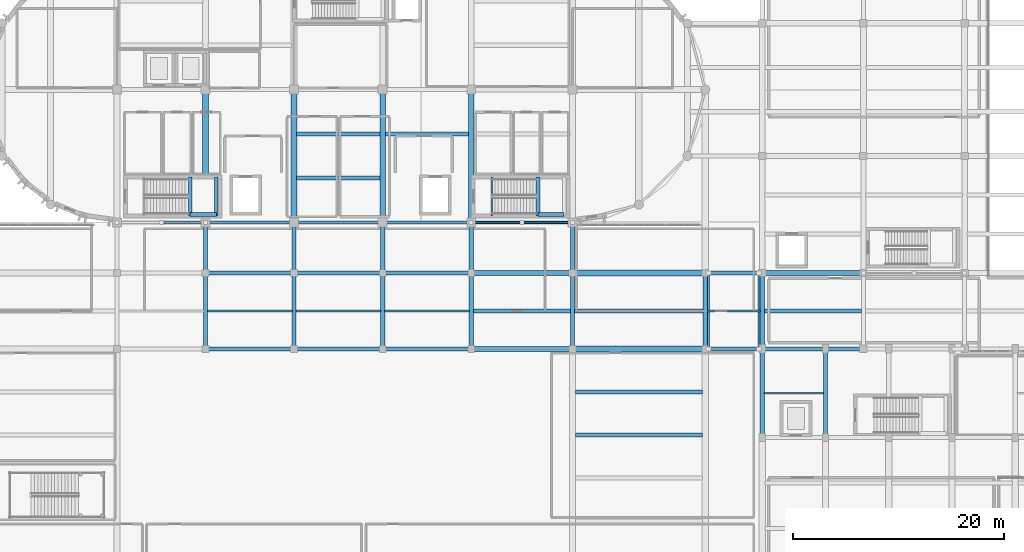
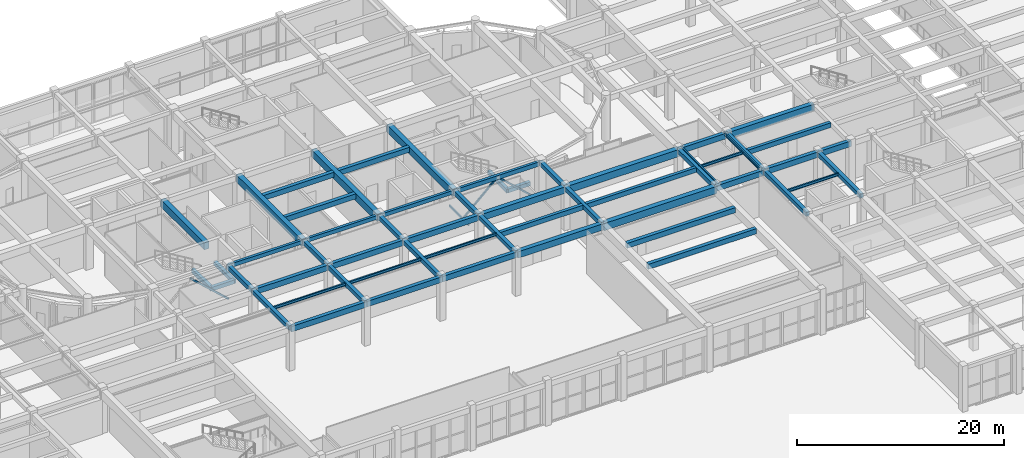
# One storey, part 37 of 98: 57 beams, 4 members.
"""IFC4 building model written with IfcOpenShell, lengths in metres."""

from ifc_helpers import new_model, si_unit, direction, frame, origin, origin_2d, place, context, subcontext, project, spatial, rectangle, hollow_rectangle, i_section, extrude, material, material_profile, profile_set, type_object, element, save


model = new_model("IFC4")

# Units and contexts
model_context = context("Model", 3, precision=1e-05, world=origin(), true_north=direction((0.0, 1.0)))
body_context = subcontext(model_context, "Body", "Model", "MODEL_VIEW")
ifc_project = project(units=[si_unit("LENGTHUNIT", "METRE"), si_unit("AREAUNIT", "SQUARE_METRE"), si_unit("VOLUMEUNIT", "CUBIC_METRE"), si_unit("PLANEANGLEUNIT", "RADIAN"), si_unit("MASSUNIT", "GRAM", prefix="KILO")], contexts=[model_context])

# Site, building, storey
site_placement = place(None, origin())
site = spatial("IfcSite", under=ifc_project, at=site_placement, CompositionType="ELEMENT")
building_placement = place(site_placement, origin())
building = spatial("IfcBuilding", under=site, at=building_placement, Name="Tarnavel Promenade Courthouse", CompositionType="ELEMENT")
storey_placement = place(building_placement, origin())
storey = spatial("IfcBuildingStorey", under=building, at=storey_placement, Name="L01", CompositionType="ELEMENT", Elevation=0.0)

# Beams
ifc_material_1 = material(Name="Concrete C40/50", Category="concrete")
ifc_material_profile_1 = material_profile(ifc_material_1, rectangle(XDim=0.35009765625, YDim=0.550048828125, at=origin_2d()), Name="PT 350x550")
ifc_profile_set_1 = profile_set([ifc_material_profile_1], Name="Concrete C40/50")
beam_type_1 = type_object("IfcBeamType", Name="Concrete C40/50 BM-PT-350x550 (PT 350x550)", PredefinedType="JOIST", material=ifc_profile_set_1)
beam_1_placement = place(storey_placement, frame((92.570068359375, 70.800048828125, 4.820068359375), z_axis=(1.0, 0.0, 0.0), x_axis=(0.0, 1.0, 0.0)))
element("IfcBeam", 1, at=beam_1_placement, inside=storey, type_object=beam_type_1, Name="L01 Secondary Floor Rib 0939", PredefinedType="JOIST", context=body_context, shape_type="SweptSolid", body=[
    extrude(rectangle(XDim=0.35009765625, YDim=0.550048828125, at=origin_2d()), origin(), (0.0, 0.0, 1.0), 9.260009765625),
])
beam_2_placement = place(storey_placement, frame((102.169921875, 70.800048828125, 4.820068359375), z_axis=(1.0, 0.0, 0.0), x_axis=(0.0, 1.0, 0.0)))
element("IfcBeam", 2, at=beam_2_placement, inside=storey, type_object=beam_type_1, Name="L01 Secondary Floor Rib 0940", PredefinedType="JOIST", context=body_context, shape_type="SweptSolid", body=[
    extrude(rectangle(XDim=0.35009765625, YDim=0.550048828125, at=origin_2d()), origin(), (0.0, 0.0, 1.0), 12.260009765625),
])
beam_3_placement = place(storey_placement, frame((120.169921875, 70.800048828125, 4.860107421875), z_axis=(1.0, 0.0, 0.0), x_axis=(0.0, 1.0, 0.0)))
element("IfcBeam", 3, at=beam_3_placement, inside=storey, type_object=beam_type_1, Name="L01 Secondary Floor Rib 0942", PredefinedType="JOIST", context=body_context, shape_type="SweptSolid", body=[
    extrude(rectangle(XDim=0.35009765625, YDim=0.550048828125, at=origin_2d()), origin(), (0.0, 0.0, 1.0), 9.260009765625),
])
ifc_material_profile_2 = material_profile(ifc_material_1, rectangle(XDim=0.39990234375, YDim=0.60009765625, at=origin_2d()), Name="PT 400x600")
ifc_profile_set_2 = profile_set([ifc_material_profile_2], Name="Concrete C40/50")
beam_type_2 = type_object("IfcBeamType", Name="Concrete C40/50 BM-PT-400x600 (PT 400x600)", PredefinedType="JOIST", material=ifc_profile_set_2)
for number, where, z_axis, x_axis, name in (
    (4, (102.27001953125, 59.0400390625, 4.794921875), (1.0, 0.0, 0.0), (0.0, 1.0, 0.0), "L01 Secondary Floor Rib 0998"),
    (5, (102.27001953125, 63.1201171875, 4.794921875), (1.0, 0.0, 0.0), (0.0, 1.0, 0.0), "L01 Secondary Floor Rib 0999"),
):
    element("IfcBeam", number, at=place(storey_placement, frame(where, z_axis=z_axis, x_axis=x_axis)), inside=storey, type_object=beam_type_2, Name=name, PredefinedType="JOIST", context=body_context, shape_type="SweptSolid", body=[
        extrude(rectangle(XDim=0.39990234375, YDim=0.60009765625, at=origin_2d()), origin(), (0.0, 0.0, 1.0), 12.06005859375),
    ])
for number, where, z_axis, x_axis, name in (
    (6, (75.844970703125, 83.39990234375, 4.8349609375), (1.0, 0.0, 0.0), (0.0, 1.0, 0.0), "L01 Secondary Floor Rib 1000"),
    (7, (75.844970703125, 87.60009765625, 4.8349609375), (1.0, 0.0, 0.0), (0.0, 1.0, 0.0), "L01 Secondary Floor Rib 1001"),
    (8, (84.2451171875, 87.60009765625, 4.8349609375), (1.0, 0.0, 0.0), (0.0, 1.0, 0.0), "L01 Secondary Floor Rib 1002"),
):
    element("IfcBeam", number, at=place(storey_placement, frame(where, z_axis=z_axis, x_axis=x_axis)), inside=storey, type_object=beam_type_2, Name=name, PredefinedType="JOIST", context=body_context, shape_type="SweptSolid", body=[
        extrude(rectangle(XDim=0.39990234375, YDim=0.60009765625, at=origin_2d()), origin(), (0.0, 0.0, 1.0), 7.909912109375),
    ])
ifc_material_profile_3 = material_profile(ifc_material_1, rectangle(XDim=0.550048828125, YDim=0.85009765625, at=origin_2d()), Name="PT 550x850")
ifc_profile_set_3 = profile_set([ifc_material_profile_3], Name="Concrete C40/50")
beam_type_3 = type_object("IfcBeamType", Name="Concrete C40/50 BM-PT-550x850 (PT 550x850)", PredefinedType="T_BEAM", material=ifc_profile_set_3)
for number, where, z_axis, x_axis, name in (
    (9, (102.0, 67.199951171875, 4.669921875), (1.0, 0.0, 0.0), (0.0, 1.0, 0.0), "L01 Primary Longitudinal Beam 0648"),
    (10, (102.0, 74.39990234375, 4.669921875), (1.0, 0.0, 0.0), (0.0, 1.0, 0.0), "L01 Primary Longitudinal Beam 0671"),
):
    element("IfcBeam", number, at=place(storey_placement, frame(where, z_axis=z_axis, x_axis=x_axis)), inside=storey, type_object=beam_type_3, Name=name, PredefinedType="T_BEAM", context=body_context, shape_type="SweptSolid", body=[
        extrude(rectangle(XDim=0.550048828125, YDim=0.85009765625, at=origin_2d()), origin(), (0.0, 0.0, 1.0), 12.60009765625),
    ])
beam_4_placement = place(storey_placement, frame((67.199951171875, 83.3701171875, 4.7099609375), z_axis=(0.0, 1.0, 0.0), x_axis=(-1.0, 0.0, 0.0)))
element("IfcBeam", 11, at=beam_4_placement, inside=storey, type_object=beam_type_3, Name="L01 Transverse Girder 0798", PredefinedType="T_BEAM", context=body_context, shape_type="SweptSolid", body=[
    extrude(rectangle(XDim=0.550048828125, YDim=0.85009765625, at=origin_2d()), origin(), (0.0, 0.0, 1.0), 8.429931640625),
])
for number, where, z_axis, x_axis, name in (
    (12, (75.60009765625, 79.199951171875, 4.7099609375), (0.0, 1.0, 0.0), (-1.0, 0.0, 0.0), "L01 Transverse Girder 0804"),
    (13, (84.0, 79.199951171875, 4.7099609375), (0.0, 1.0, 0.0), (-1.0, 0.0, 0.0), "L01 Transverse Girder 0810"),
    (14, (92.39990234375, 79.199951171875, 4.7099609375), (0.0, 1.0, 0.0), (-1.0, 0.0, 0.0), "L01 Transverse Girder 0817"),
):
    element("IfcBeam", number, at=place(storey_placement, frame(where, z_axis=z_axis, x_axis=x_axis)), inside=storey, type_object=beam_type_3, Name=name, PredefinedType="T_BEAM", context=body_context, shape_type="SweptSolid", body=[
        extrude(rectangle(XDim=0.550048828125, YDim=0.85009765625, at=origin_2d()), origin(), (0.0, 0.0, 1.0), 12.60009765625),
    ])
ifc_material_profile_4 = material_profile(ifc_material_1, rectangle(XDim=0.35009765625, YDim=0.449951171875, at=origin_2d()), Name="RC 350x450")
ifc_profile_set_4 = profile_set([ifc_material_profile_4], Name="Concrete C40/50")
beam_type_4 = type_object("IfcBeamType", Name="Concrete C40/50 BM-RC-350x450 (RC 350x450)", PredefinedType="BEAM", material=ifc_profile_set_4)
for number, where, z_axis, x_axis, name in (
    (15, (65.739990234375, 79.800048828125, 2.27001953125), (0.0, 1.0, 0.0), (-1.0, 0.0, 0.0), "L01 ST-01 Mid-Landing Support Beam Near"),
    (16, (68.219970703125, 79.800048828125, 2.27001953125), (0.0, 1.0, 0.0), (-1.0, 0.0, 0.0), "L01 ST-01 Mid-Landing Support Beam Far"),
):
    element("IfcBeam", number, at=place(storey_placement, frame(where, z_axis=z_axis, x_axis=x_axis)), inside=storey, type_object=beam_type_4, Name=name, PredefinedType="BEAM", context=body_context, shape_type="SweptSolid", body=[
        extrude(rectangle(XDim=0.35009765625, YDim=0.449951171875, at=origin_2d()), origin(), (0.0, 0.0, 1.0), 3.719970703125),
    ])
beam_5_placement = place(storey_placement, frame((65.739990234375, 79.949951171875, 2.27001953125), z_axis=(1.0, 0.0, 0.0), x_axis=(0.0, 1.0, 0.0)))
element("IfcBeam", 17, at=beam_5_placement, inside=storey, type_object=beam_type_4, Name="L01 ST-01 Mid-Landing Edge Trimmer", PredefinedType="BEAM", context=body_context, shape_type="SweptSolid", body=[
    extrude(rectangle(XDim=0.35009765625, YDim=0.449951171875, at=origin_2d()), origin(), (0.0, 0.0, 1.0), 2.47998046875),
])
beam_6_placement = place(storey_placement, frame((98.739990234375, 79.800048828125, 2.27001953125), z_axis=(0.0, 1.0, 0.0), x_axis=(-1.0, 0.0, 0.0)))
element("IfcBeam", 18, at=beam_6_placement, inside=storey, type_object=beam_type_4, Name="L01 ST-02 Mid-Landing Support Beam Near", PredefinedType="BEAM", context=body_context, shape_type="SweptSolid", body=[
    extrude(rectangle(XDim=0.35009765625, YDim=0.449951171875, at=origin_2d()), origin(), (0.0, 0.0, 1.0), 3.719970703125),
])
beam_7_placement = place(storey_placement, frame((98.739990234375, 79.949951171875, 2.27001953125), z_axis=(1.0, 0.0, 0.0), x_axis=(0.0, 1.0, 0.0)))
element("IfcBeam", 19, at=beam_7_placement, inside=storey, type_object=beam_type_4, Name="L01 ST-02 Mid-Landing Edge Trimmer", PredefinedType="BEAM", context=body_context, shape_type="SweptSolid", body=[
    extrude(rectangle(XDim=0.35009765625, YDim=0.449951171875, at=origin_2d()), origin(), (0.0, 0.0, 1.0), 2.47998046875),
])
ifc_material_profile_5 = material_profile(ifc_material_1, rectangle(XDim=0.39990234375, YDim=0.5, at=origin_2d()), Name="RC 400x500")
ifc_profile_set_5 = profile_set([ifc_material_profile_5], Name="Concrete C40/50")
beam_type_5 = type_object("IfcBeamType", Name="Concrete C40/50 BM-RC-400x500 (RC 400x500)", PredefinedType="BEAM", material=ifc_profile_set_5)
beam_8_placement = place(storey_placement, frame((67.199951171875, 67.199951171875, 4.844970703125), z_axis=(0.0, 1.0, 0.0), x_axis=(-1.0, 0.0, 0.0)))
element("IfcBeam", 20, at=beam_8_placement, inside=storey, type_object=beam_type_5, Name="L01 Transverse Girder 0796", PredefinedType="BEAM", context=body_context, shape_type="SweptSolid", body=[
    extrude(rectangle(XDim=0.39990234375, YDim=0.5, at=origin_2d()), origin(), (0.0, 0.0, 1.0), 7.199951171875),
])
beam_9_placement = place(storey_placement, frame((67.199951171875, 74.39990234375, 4.844970703125), z_axis=(0.0, 1.0, 0.0), x_axis=(-1.0, 0.0, 0.0)))
element("IfcBeam", 21, at=beam_9_placement, inside=storey, type_object=beam_type_5, Name="L01 Transverse Girder 0797", PredefinedType="BEAM", context=body_context, shape_type="SweptSolid", body=[
    extrude(rectangle(XDim=0.39990234375, YDim=0.5, at=origin_2d()), origin(), (0.0, 0.0, 1.0), 4.800048828125),
])
beam_10_placement = place(storey_placement, frame((75.60009765625, 67.199951171875, 4.844970703125), z_axis=(0.0, 1.0, 0.0), x_axis=(-1.0, 0.0, 0.0)))
element("IfcBeam", 22, at=beam_10_placement, inside=storey, type_object=beam_type_5, Name="L01 Transverse Girder 0802", PredefinedType="BEAM", context=body_context, shape_type="SweptSolid", body=[
    extrude(rectangle(XDim=0.39990234375, YDim=0.5, at=origin_2d()), origin(), (0.0, 0.0, 1.0), 7.199951171875),
])
beam_11_placement = place(storey_placement, frame((75.60009765625, 74.39990234375, 4.844970703125), z_axis=(0.0, 1.0, 0.0), x_axis=(-1.0, 0.0, 0.0)))
element("IfcBeam", 23, at=beam_11_placement, inside=storey, type_object=beam_type_5, Name="L01 Transverse Girder 0803", PredefinedType="BEAM", context=body_context, shape_type="SweptSolid", body=[
    extrude(rectangle(XDim=0.39990234375, YDim=0.5, at=origin_2d()), origin(), (0.0, 0.0, 1.0), 4.800048828125),
])
beam_12_placement = place(storey_placement, frame((84.0, 67.199951171875, 4.844970703125), z_axis=(0.0, 1.0, 0.0), x_axis=(-1.0, 0.0, 0.0)))
element("IfcBeam", 24, at=beam_12_placement, inside=storey, type_object=beam_type_5, Name="L01 Transverse Girder 0808", PredefinedType="BEAM", context=body_context, shape_type="SweptSolid", body=[
    extrude(rectangle(XDim=0.39990234375, YDim=0.5, at=origin_2d()), origin(), (0.0, 0.0, 1.0), 7.199951171875),
])
beam_13_placement = place(storey_placement, frame((84.0, 74.39990234375, 4.844970703125), z_axis=(0.0, 1.0, 0.0), x_axis=(-1.0, 0.0, 0.0)))
element("IfcBeam", 25, at=beam_13_placement, inside=storey, type_object=beam_type_5, Name="L01 Transverse Girder 0809", PredefinedType="BEAM", context=body_context, shape_type="SweptSolid", body=[
    extrude(rectangle(XDim=0.39990234375, YDim=0.5, at=origin_2d()), origin(), (0.0, 0.0, 1.0), 4.800048828125),
])
beam_14_placement = place(storey_placement, frame((92.39990234375, 67.199951171875, 4.844970703125), z_axis=(0.0, 1.0, 0.0), x_axis=(-1.0, 0.0, 0.0)))
element("IfcBeam", 26, at=beam_14_placement, inside=storey, type_object=beam_type_5, Name="L01 Transverse Girder 0815", PredefinedType="BEAM", context=body_context, shape_type="SweptSolid", body=[
    extrude(rectangle(XDim=0.39990234375, YDim=0.5, at=origin_2d()), origin(), (0.0, 0.0, 1.0), 7.199951171875),
])
beam_15_placement = place(storey_placement, frame((92.39990234375, 74.39990234375, 4.844970703125), z_axis=(0.0, 1.0, 0.0), x_axis=(-1.0, 0.0, 0.0)))
element("IfcBeam", 27, at=beam_15_placement, inside=storey, type_object=beam_type_5, Name="L01 Transverse Girder 0816", PredefinedType="BEAM", context=body_context, shape_type="SweptSolid", body=[
    extrude(rectangle(XDim=0.39990234375, YDim=0.5, at=origin_2d()), origin(), (0.0, 0.0, 1.0), 4.800048828125),
])
beam_16_placement = place(storey_placement, frame((102.0, 67.199951171875, 4.844970703125), z_axis=(0.0, 1.0, 0.0), x_axis=(-1.0, 0.0, 0.0)))
element("IfcBeam", 28, at=beam_16_placement, inside=storey, type_object=beam_type_5, Name="L01 Transverse Girder 0822", PredefinedType="BEAM", context=body_context, shape_type="SweptSolid", body=[
    extrude(rectangle(XDim=0.39990234375, YDim=0.5, at=origin_2d()), origin(), (0.0, 0.0, 1.0), 7.199951171875),
])
beam_17_placement = place(storey_placement, frame((102.0, 74.39990234375, 4.844970703125), z_axis=(0.0, 1.0, 0.0), x_axis=(-1.0, 0.0, 0.0)))
element("IfcBeam", 29, at=beam_17_placement, inside=storey, type_object=beam_type_5, Name="L01 Transverse Girder 0823", PredefinedType="BEAM", context=body_context, shape_type="SweptSolid", body=[
    extrude(rectangle(XDim=0.39990234375, YDim=0.5, at=origin_2d()), origin(), (0.0, 0.0, 1.0), 4.800048828125),
])
beam_18_placement = place(storey_placement, frame((114.60009765625, 67.199951171875, 4.844970703125), z_axis=(0.0, 1.0, 0.0), x_axis=(-1.0, 0.0, 0.0)))
element("IfcBeam", 30, at=beam_18_placement, inside=storey, type_object=beam_type_5, Name="L01 Transverse Girder 0831", PredefinedType="BEAM", context=body_context, shape_type="SweptSolid", body=[
    extrude(rectangle(XDim=0.39990234375, YDim=0.5, at=origin_2d()), origin(), (0.0, 0.0, 1.0), 7.199951171875),
])
beam_19_placement = place(storey_placement, frame((120.0, 58.800048828125, 4.844970703125), z_axis=(0.0, 1.0, 0.0), x_axis=(-1.0, 0.0, 0.0)))
element("IfcBeam", 31, at=beam_19_placement, inside=storey, type_object=beam_type_5, Name="L01 Transverse Girder 0835", PredefinedType="BEAM", context=body_context, shape_type="SweptSolid", body=[
    extrude(rectangle(XDim=0.39990234375, YDim=0.5, at=origin_2d()), origin(), (0.0, 0.0, 1.0), 8.39990234375),
])
beam_20_placement = place(storey_placement, frame((120.0, 67.199951171875, 4.844970703125), z_axis=(0.0, 1.0, 0.0), x_axis=(-1.0, 0.0, 0.0)))
element("IfcBeam", 32, at=beam_20_placement, inside=storey, type_object=beam_type_5, Name="L01 Transverse Girder 0836", PredefinedType="BEAM", context=body_context, shape_type="SweptSolid", body=[
    extrude(rectangle(XDim=0.39990234375, YDim=0.5, at=origin_2d()), origin(), (0.0, 0.0, 1.0), 7.199951171875),
])
beam_21_placement = place(storey_placement, frame((126.0, 58.800048828125, 4.885009765625), z_axis=(0.0, 1.0, 0.0), x_axis=(-1.0, 0.0, 0.0)))
element("IfcBeam", 33, at=beam_21_placement, inside=storey, type_object=beam_type_5, Name="L01 Transverse Girder 0843", PredefinedType="BEAM", context=body_context, shape_type="SweptSolid", body=[
    extrude(rectangle(XDim=0.39990234375, YDim=0.5, at=origin_2d()), origin(), (0.0, 0.0, 1.0), 8.39990234375),
])
ifc_material_profile_6 = material_profile(ifc_material_1, rectangle(XDim=0.39990234375, YDim=0.64990234375, at=origin_2d()), Name="RC 400x650")
ifc_profile_set_6 = profile_set([ifc_material_profile_6], Name="Concrete C40/50")
beam_type_6 = type_object("IfcBeamType", Name="Concrete C40/50 BM-RC-400x650 (RC 400x650)", PredefinedType="BEAM", material=ifc_profile_set_6)
beam_22_placement = place(storey_placement, frame((67.199951171875, 67.199951171875, 4.77001953125), z_axis=(1.0, 0.0, 0.0), x_axis=(0.0, 1.0, 0.0)))
element("IfcBeam", 34, at=beam_22_placement, inside=storey, type_object=beam_type_6, Name="L01 Primary Longitudinal Beam 0644", PredefinedType="BEAM", context=body_context, shape_type="SweptSolid", body=[
    extrude(rectangle(XDim=0.39990234375, YDim=0.64990234375, at=origin_2d()), origin(), (0.0, 0.0, 1.0), 8.400146484375),
])
for number, where, z_axis, x_axis, name in (
    (35, (75.60009765625, 67.199951171875, 4.77001953125), (1.0, 0.0, 0.0), (0.0, 1.0, 0.0), "L01 Primary Longitudinal Beam 0645"),
    (36, (84.0, 67.199951171875, 4.77001953125), (1.0, 0.0, 0.0), (0.0, 1.0, 0.0), "L01 Primary Longitudinal Beam 0646"),
):
    element("IfcBeam", number, at=place(storey_placement, frame(where, z_axis=z_axis, x_axis=x_axis)), inside=storey, type_object=beam_type_6, Name=name, PredefinedType="BEAM", context=body_context, shape_type="SweptSolid", body=[
        extrude(rectangle(XDim=0.39990234375, YDim=0.64990234375, at=origin_2d()), origin(), (0.0, 0.0, 1.0), 8.39990234375),
    ])
beam_23_placement = place(storey_placement, frame((114.60009765625, 67.199951171875, 4.77001953125), z_axis=(1.0, 0.0, 0.0), x_axis=(0.0, 1.0, 0.0)))
element("IfcBeam", 37, at=beam_23_placement, inside=storey, type_object=beam_type_6, Name="L01 Primary Longitudinal Beam 0649", PredefinedType="BEAM", context=body_context, shape_type="SweptSolid", body=[
    extrude(rectangle(XDim=0.39990234375, YDim=0.64990234375, at=origin_2d()), origin(), (0.0, 0.0, 1.0), 5.39990234375),
])
beam_24_placement = place(storey_placement, frame((120.0, 67.199951171875, 4.81005859375), z_axis=(1.0, 0.0, 0.0), x_axis=(0.0, 1.0, 0.0)))
element("IfcBeam", 38, at=beam_24_placement, inside=storey, type_object=beam_type_6, Name="L01 Primary Longitudinal Beam 0650", PredefinedType="BEAM", context=body_context, shape_type="SweptSolid", body=[
    extrude(rectangle(XDim=0.39990234375, YDim=0.64990234375, at=origin_2d()), origin(), (0.0, 0.0, 1.0), 6.0),
])
beam_25_placement = place(storey_placement, frame((126.0, 67.199951171875, 4.81005859375), z_axis=(1.0, 0.0, 0.0), x_axis=(0.0, 1.0, 0.0)))
element("IfcBeam", 39, at=beam_25_placement, inside=storey, type_object=beam_type_6, Name="L01 Primary Longitudinal Beam 0651", PredefinedType="BEAM", context=body_context, shape_type="SweptSolid", body=[
    extrude(rectangle(XDim=0.39990234375, YDim=0.64990234375, at=origin_2d()), origin(), (0.0, 0.0, 1.0), 3.60009765625),
])
beam_26_placement = place(storey_placement, frame((67.199951171875, 74.39990234375, 4.77001953125), z_axis=(1.0, 0.0, 0.0), x_axis=(0.0, 1.0, 0.0)))
element("IfcBeam", 40, at=beam_26_placement, inside=storey, type_object=beam_type_6, Name="L01 Primary Longitudinal Beam 0667", PredefinedType="BEAM", context=body_context, shape_type="SweptSolid", body=[
    extrude(rectangle(XDim=0.39990234375, YDim=0.64990234375, at=origin_2d()), origin(), (0.0, 0.0, 1.0), 8.400146484375),
])
for number, where, z_axis, x_axis, name in (
    (41, (75.60009765625, 74.39990234375, 4.77001953125), (1.0, 0.0, 0.0), (0.0, 1.0, 0.0), "L01 Primary Longitudinal Beam 0668"),
    (42, (84.0, 74.39990234375, 4.77001953125), (1.0, 0.0, 0.0), (0.0, 1.0, 0.0), "L01 Primary Longitudinal Beam 0669"),
):
    element("IfcBeam", number, at=place(storey_placement, frame(where, z_axis=z_axis, x_axis=x_axis)), inside=storey, type_object=beam_type_6, Name=name, PredefinedType="BEAM", context=body_context, shape_type="SweptSolid", body=[
        extrude(rectangle(XDim=0.39990234375, YDim=0.64990234375, at=origin_2d()), origin(), (0.0, 0.0, 1.0), 8.39990234375),
    ])
beam_27_placement = place(storey_placement, frame((114.60009765625, 74.39990234375, 4.77001953125), z_axis=(1.0, 0.0, 0.0), x_axis=(0.0, 1.0, 0.0)))
element("IfcBeam", 43, at=beam_27_placement, inside=storey, type_object=beam_type_6, Name="L01 Primary Longitudinal Beam 0672", PredefinedType="BEAM", context=body_context, shape_type="SweptSolid", body=[
    extrude(rectangle(XDim=0.39990234375, YDim=0.64990234375, at=origin_2d()), origin(), (0.0, 0.0, 1.0), 5.39990234375),
])
ifc_material_profile_7 = material_profile(ifc_material_1, rectangle(XDim=0.5, YDim=0.75, at=origin_2d()), Name="RC 500x750")
ifc_profile_set_7 = profile_set([ifc_material_profile_7], Name="Concrete C40/50")
beam_type_7 = type_object("IfcBeamType", Name="Concrete C40/50 BM-RC-500x750 (RC 500x750)", PredefinedType="T_BEAM", material=ifc_profile_set_7)
for number, where, z_axis, x_axis, name in (
    (44, (92.39990234375, 67.199951171875, 4.719970703125), (1.0, 0.0, 0.0), (0.0, 1.0, 0.0), "L01 Primary Longitudinal Beam 0647"),
    (45, (92.39990234375, 74.39990234375, 4.719970703125), (1.0, 0.0, 0.0), (0.0, 1.0, 0.0), "L01 Primary Longitudinal Beam 0670"),
    (46, (120.0, 74.39990234375, 4.760009765625), (1.0, 0.0, 0.0), (0.0, 1.0, 0.0), "L01 Primary Longitudinal Beam 0673"),
):
    element("IfcBeam", number, at=place(storey_placement, frame(where, z_axis=z_axis, x_axis=x_axis)), inside=storey, type_object=beam_type_7, Name=name, PredefinedType="T_BEAM", context=body_context, shape_type="SweptSolid", body=[
        extrude(rectangle(XDim=0.5, YDim=0.75, at=origin_2d()), origin(), (0.0, 0.0, 1.0), 9.60009765625),
    ])
ifc_material_profile_8 = material_profile(ifc_material_1, rectangle(XDim=0.300048828125, YDim=0.449951171875, at=origin_2d()), Name="RC 300x450")
ifc_profile_set_8 = profile_set([ifc_material_profile_8], Name="Concrete C40/50")
beam_type_8 = type_object("IfcBeamType", Name="Concrete C40/50 BM-SP-300x450 (RC 300x450)", PredefinedType="SPANDREL", material=ifc_profile_set_8)
beam_28_placement = place(storey_placement, frame((67.199951171875, 79.199951171875, 4.8701171875), z_axis=(1.0, 0.0, 0.0), x_axis=(0.0, 1.0, 0.0)))
element("IfcBeam", 47, at=beam_28_placement, inside=storey, type_object=beam_type_8, Name="L01 Primary Longitudinal Beam 0678", PredefinedType="SPANDREL", context=body_context, shape_type="SweptSolid", body=[
    extrude(rectangle(XDim=0.300048828125, YDim=0.449951171875, at=origin_2d()), origin(), (0.0, 0.0, 1.0), 8.400146484375),
])
for number, where, z_axis, x_axis, name in (
    (48, (75.60009765625, 79.199951171875, 4.8701171875), (1.0, 0.0, 0.0), (0.0, 1.0, 0.0), "L01 Primary Longitudinal Beam 0679"),
    (49, (84.0, 79.199951171875, 4.8701171875), (1.0, 0.0, 0.0), (0.0, 1.0, 0.0), "L01 Primary Longitudinal Beam 0680"),
):
    element("IfcBeam", number, at=place(storey_placement, frame(where, z_axis=z_axis, x_axis=x_axis)), inside=storey, type_object=beam_type_8, Name=name, PredefinedType="SPANDREL", context=body_context, shape_type="SweptSolid", body=[
        extrude(rectangle(XDim=0.300048828125, YDim=0.449951171875, at=origin_2d()), origin(), (0.0, 0.0, 1.0), 8.39990234375),
    ])
ifc_material_profile_9 = material_profile(ifc_material_1, rectangle(XDim=0.300048828125, YDim=0.5, at=origin_2d()), Name="RC 300x500")
ifc_profile_set_9 = profile_set([ifc_material_profile_9], Name="Concrete C40/50")
beam_type_9 = type_object("IfcBeamType", Name="Concrete C40/50 BM-SP-300x500 (RC 300x500)", PredefinedType="SPANDREL", material=ifc_profile_set_9)
beam_29_placement = place(storey_placement, frame((92.39990234375, 79.199951171875, 4.844970703125), z_axis=(1.0, 0.0, 0.0), x_axis=(0.0, 1.0, 0.0)))
element("IfcBeam", 50, at=beam_29_placement, inside=storey, type_object=beam_type_9, Name="L01 Primary Longitudinal Beam 0681", PredefinedType="SPANDREL", context=body_context, shape_type="SweptSolid", body=[
    extrude(rectangle(XDim=0.300048828125, YDim=0.5, at=origin_2d()), origin(), (0.0, 0.0, 1.0), 9.60009765625),
])
ifc_material_2 = material(Name="Steel S355J2", Category="steel")
ifc_material_profile_10 = material_profile(ifc_material_2, i_section(OverallWidth=0.159912109375, OverallDepth=0.330078125, WebThickness=0.007568359375, FlangeThickness=0.011474609375, FilletRadius=0.01806640625, at=origin_2d()), Name="IPE 330")
ifc_profile_set_10 = profile_set([ifc_material_profile_10], Name="Steel S355J2")
beam_type_10 = type_object("IfcBeamType", Name="Steel S355J2 BM-ST-IPE330 (IPE 330)", PredefinedType="JOIST", material=ifc_profile_set_10)
beam_30_placement = place(storey_placement, frame((67.3701171875, 70.800048828125, 4.929931640625), z_axis=(1.0, 0.0, 0.0), x_axis=(0.0, 1.0, 0.0)))
element("IfcBeam", 51, at=beam_30_placement, inside=storey, type_object=beam_type_10, Name="L01 Secondary Floor Rib 0936", PredefinedType="JOIST", context=body_context, shape_type="SweptSolid", body=[
    extrude(i_section(OverallWidth=0.159912109375, OverallDepth=0.330078125, WebThickness=0.007568359375, FlangeThickness=0.011474609375, FilletRadius=0.01806640625, at=origin_2d()), origin(), (0.0, 0.0, 1.0), 8.059814453125),
])
for number, where, z_axis, x_axis, name in (
    (52, (75.77001953125, 70.800048828125, 4.929931640625), (1.0, 0.0, 0.0), (0.0, 1.0, 0.0), "L01 Secondary Floor Rib 0937"),
    (53, (84.169921875, 70.800048828125, 4.929931640625), (1.0, 0.0, 0.0), (0.0, 1.0, 0.0), "L01 Secondary Floor Rib 0938"),
):
    element("IfcBeam", number, at=place(storey_placement, frame(where, z_axis=z_axis, x_axis=x_axis)), inside=storey, type_object=beam_type_10, Name=name, PredefinedType="JOIST", context=body_context, shape_type="SweptSolid", body=[
        extrude(i_section(OverallWidth=0.159912109375, OverallDepth=0.330078125, WebThickness=0.007568359375, FlangeThickness=0.011474609375, FilletRadius=0.01806640625, at=origin_2d()), origin(), (0.0, 0.0, 1.0), 8.06005859375),
    ])
beam_31_placement = place(storey_placement, frame((114.77001953125, 70.800048828125, 4.929931640625), z_axis=(1.0, 0.0, 0.0), x_axis=(0.0, 1.0, 0.0)))
element("IfcBeam", 54, at=beam_31_placement, inside=storey, type_object=beam_type_10, Name="L01 Secondary Floor Rib 0941", PredefinedType="JOIST", context=body_context, shape_type="SweptSolid", body=[
    extrude(i_section(OverallWidth=0.159912109375, OverallDepth=0.330078125, WebThickness=0.007568359375, FlangeThickness=0.011474609375, FilletRadius=0.01806640625, at=origin_2d()), origin(), (0.0, 0.0, 1.0), 5.06005859375),
])
beam_32_placement = place(storey_placement, frame((120.169921875, 63.0, 4.969970703125), z_axis=(1.0, 0.0, 0.0), x_axis=(0.0, 1.0, 0.0)))
element("IfcBeam", 55, at=beam_32_placement, inside=storey, type_object=beam_type_10, Name="L01 Secondary Floor Rib 1046", PredefinedType="JOIST", context=body_context, shape_type="SweptSolid", body=[
    extrude(i_section(OverallWidth=0.159912109375, OverallDepth=0.330078125, WebThickness=0.007568359375, FlangeThickness=0.011474609375, FilletRadius=0.01806640625, at=origin_2d()), origin(), (0.0, 0.0, 1.0), 5.66015625),
])
for number, where, z_axis, x_axis, name in (
    (56, (114.89990234375, 67.199951171875, 5.02001953125), (0.0, 1.0, 0.0), (-1.0, 0.0, 0.0), "Link Bridge BRE W Seismic Sliding Bearing Seat Beam"),
    (57, (119.699951171875, 67.199951171875, 5.02001953125), (0.0, 1.0, 0.0), (-1.0, 0.0, 0.0), "Link Bridge BRE E Seismic Sliding Bearing Seat Beam"),
):
    element("IfcBeam", number, at=place(storey_placement, frame(where, z_axis=z_axis, x_axis=x_axis)), inside=storey, type_object=beam_type_10, Name=name, PredefinedType="JOIST", context=body_context, shape_type="SweptSolid", body=[
        extrude(i_section(OverallWidth=0.159912109375, OverallDepth=0.330078125, WebThickness=0.007568359375, FlangeThickness=0.011474609375, FilletRadius=0.01806640625, at=origin_2d()), origin(), (0.0, 0.0, 1.0), 7.199951171875),
    ])

# Members
ifc_material_profile_11 = material_profile(ifc_material_2, hollow_rectangle(XDim=0.179931640625, YDim=0.179931640625, WallThickness=0.010009765625, InnerFilletRadius=0.010009765625, OuterFilletRadius=0.02001953125, at=origin_2d()), Name="SHS 180x180x10")
ifc_profile_set_11 = profile_set([ifc_material_profile_11], Name="Steel S355J2")
member_type_1 = type_object("IfcMemberType", Name="Steel S355J2 MEM-BR-SHS180 (SHS 180x180x10)", PredefinedType="BRACE", material=ifc_profile_set_11)
for number, where, z_axis, x_axis, name in (
    (58, (92.39990234375, 79.199951171875, 0.39501953125), (0.733344567691, 0.0, 0.679857150465), (0.0, 1.0, 0.0), "L01 V5 Chevron Brace A 012"),
    (59, (102.0, 79.199951171875, 0.39501953125), (-0.733344567691, 0.0, 0.679857150465), (0.0, -1.0, 0.0), "L01 V5 Chevron Brace B 012"),
):
    element("IfcMember", number, at=place(storey_placement, frame(where, z_axis=z_axis, x_axis=x_axis)), inside=storey, type_object=member_type_1, Name=name, PredefinedType="BRACE", context=body_context, shape_type="SweptSolid", body=[
        extrude(hollow_rectangle(XDim=0.179931640625, YDim=0.179931640625, WallThickness=0.010009765625, InnerFilletRadius=0.010009765625, OuterFilletRadius=0.02001953125, at=origin_2d()), origin(), (0.0, 0.0, 1.0), 6.54541015625),
    ])
ifc_material_profile_12 = material_profile(ifc_material_2, hollow_rectangle(XDim=0.199951171875, YDim=0.199951171875, WallThickness=0.012451171875, InnerFilletRadius=0.012451171875, OuterFilletRadius=0.02490234375, at=origin_2d()), Name="SHS 200x200x12.5")
ifc_profile_set_12 = profile_set([ifc_material_profile_12], Name="Steel S355J2")
member_type_2 = type_object("IfcMemberType", Name="Steel S355J2 MEM-BR-SHS200 (SHS 200x200x12.5)", PredefinedType="BRACE", material=ifc_profile_set_12)
member_1_placement = place(storey_placement, frame((67.199951171875, 79.199951171875, 0.9951171875), z_axis=(-0.737163033708, 0.0, 0.675714926381), x_axis=(0.0, -1.0, 0.0)))
element("IfcMember", 60, at=member_1_placement, inside=storey, type_object=member_type_2, Name="L01 V5 Chevron Brace B 002", PredefinedType="BRACE", context=body_context, shape_type="SweptSolid", body=[
    extrude(hollow_rectangle(XDim=0.199951171875, YDim=0.199951171875, WallThickness=0.012451171875, InnerFilletRadius=0.012451171875, OuterFilletRadius=0.02490234375, at=origin_2d()), origin(), (0.0, 0.0, 1.0), 5.697509765625),
])
ifc_material_profile_13 = material_profile(ifc_material_2, hollow_rectangle(XDim=0.14990234375, YDim=0.25, WallThickness=0.010009765625, InnerFilletRadius=0.010009765625, OuterFilletRadius=0.02001953125, at=origin_2d()), Name="RHS 250x150x10")
ifc_profile_set_13 = profile_set([ifc_material_profile_13], Name="Steel S355J2")
member_type_3 = type_object("IfcMemberType", Name="Steel S355J2 Stair Stringer MEM-STR-250 (RHS 250x150x10)", PredefinedType="STRINGER", material=ifc_profile_set_13)
member_2_placement = place(storey_placement, frame((94.360107421875, 79.800048828125, -0.179931640625), z_axis=(0.0, 1.0, 0.0), x_axis=(-1.0, 0.0, 0.0)))
element("IfcMember", 61, at=member_2_placement, inside=storey, type_object=member_type_3, Name="L01 ST-02 Stair Header Stringer", PredefinedType="STRINGER", context=body_context, shape_type="SweptSolid", body=[
    extrude(hollow_rectangle(XDim=0.14990234375, YDim=0.25, WallThickness=0.010009765625, InnerFilletRadius=0.010009765625, OuterFilletRadius=0.02001953125, at=origin_2d()), origin(), (0.0, 0.0, 1.0), 3.719970703125),
])

save(model, "model.ifc")
